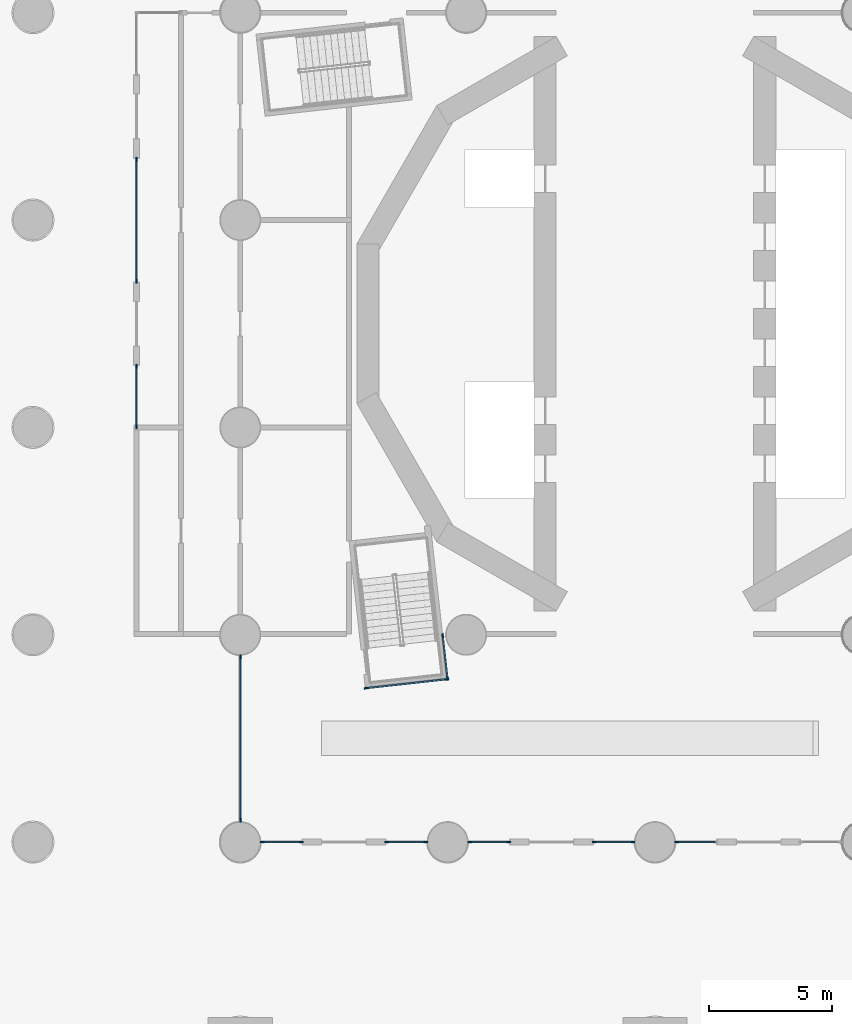
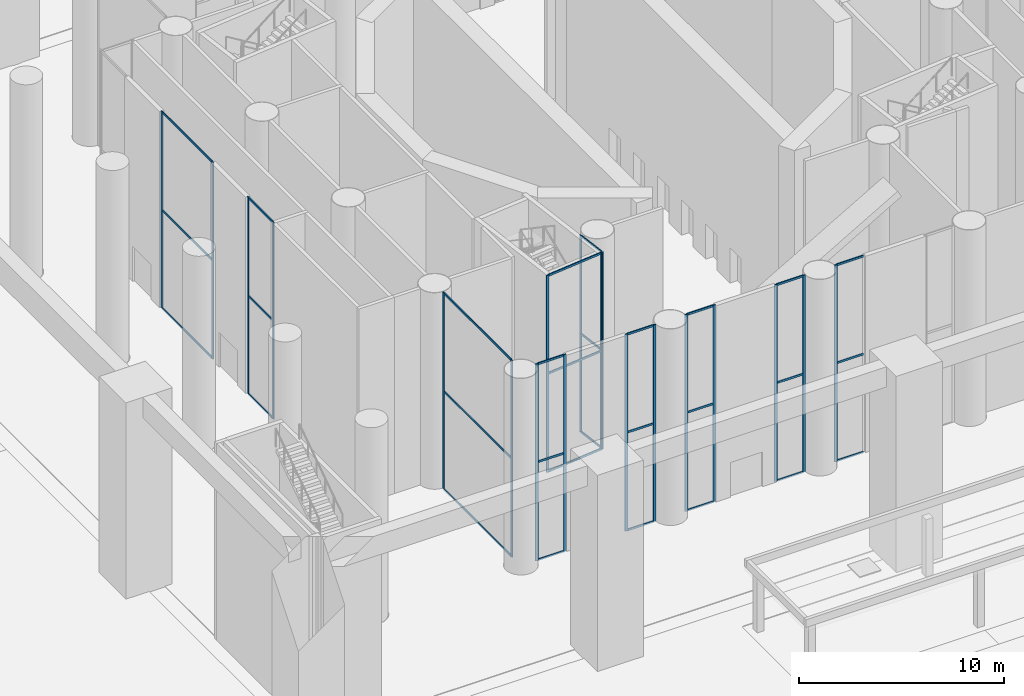
# One storey, part 3 of 52: 49 members, 10 elements without a shape of their own.
"""IFC4 building model written with IfcOpenShell, lengths in metres."""

from ifc_helpers import new_model, si_unit, direction, frame, origin, origin_2d, place, context, subcontext, project, spatial, rectangle, extrude, material, material_profile, profile_set, type_object, element, aggregate, save


model = new_model("IFC4")

# Units and contexts
model_context = context("Model", 3, precision=1e-05, world=origin(), true_north=direction((0.0, 1.0)))
body_context = subcontext(model_context, "Body", "Model", "MODEL_VIEW")
ifc_project = project(units=[si_unit("LENGTHUNIT", "METRE"), si_unit("AREAUNIT", "SQUARE_METRE"), si_unit("VOLUMEUNIT", "CUBIC_METRE"), si_unit("PLANEANGLEUNIT", "RADIAN"), si_unit("MASSUNIT", "GRAM", prefix="KILO")], contexts=[model_context])

# Site, building, storey
site_placement = place(None, origin())
site = spatial("IfcSite", under=ifc_project, at=site_placement, CompositionType="ELEMENT")
building_placement = place(site_placement, origin())
building = spatial("IfcBuilding", under=site, at=building_placement, Name="Cantera Rosa Tower", CompositionType="ELEMENT")
storey_placement = place(building_placement, origin())
storey = spatial("IfcBuildingStorey", under=building, at=storey_placement, Name="L00", CompositionType="ELEMENT", Elevation=0.0)

# Curtain wall, members
ifc_material_1 = material(Name="Glass", Category="glass")
curtain_wall_type = type_object("IfcCurtainWallType", Name="Pavilion curtain wall", PredefinedType="NOTDEFINED", material=ifc_material_1)
curtain_wall_1_placement = place(storey_placement, origin())
curtain_wall_1 = element("IfcCurtainWall", 1, at=curtain_wall_1_placement, inside=storey, type_object=curtain_wall_type, Name="Pavilion curtain wall LOUNGE 9", PredefinedType="NOTDEFINED")
ifc_material_2 = material(Name="Aluminium", Category="aluminium")
ifc_material_profile_1 = material_profile(ifc_material_2, rectangle(XDim=0.06005859375, YDim=0.159912109375, at=origin_2d()), Name="Mullion pavilion 60x160")
ifc_profile_set_1 = profile_set([ifc_material_profile_1], Name="Aluminium")
member_type_1 = type_object("IfcMemberType", Name="Mullion pavilion 60x160", PredefinedType="MULLION", material=ifc_profile_set_1)
member_1_placement = place(storey_placement, frame((-21.0, 6.669921875, 0.0), z_axis=(0.0, 0.0, 1.0), x_axis=(1.0, 0.0, 0.0)))
member_1 = element("IfcMember", 2, at=member_1_placement, type_object=member_type_1, Name="CW6 mullion 1", PredefinedType="MULLION", context=body_context, shape_type="SweptSolid", body=[
    extrude(rectangle(XDim=0.06005859375, YDim=0.159912109375, at=origin_2d()), origin(), (0.0, 0.0, 1.0), 11.699951171875),
])
member_2_placement = place(storey_placement, frame((-21.0, 1.72998046875, 0.0), z_axis=(0.0, 0.0, 1.0), x_axis=(1.0, 0.0, 0.0)))
member_2 = element("IfcMember", 3, at=member_2_placement, type_object=member_type_1, Name="CW6 mullion 2", PredefinedType="MULLION", context=body_context, shape_type="SweptSolid", body=[
    extrude(rectangle(XDim=0.06005859375, YDim=0.159912109375, at=origin_2d()), origin(), (0.0, 0.0, 1.0), 11.699951171875),
])

curtain_wall_2_placement = place(storey_placement, origin())
curtain_wall_2 = element("IfcCurtainWall", 4, at=curtain_wall_2_placement, inside=storey, type_object=curtain_wall_type, Name="Pavilion curtain wall LOUNGE 9", PredefinedType="NOTDEFINED")
member_3_placement = place(storey_placement, frame((-21.0, -1.72998046875, 0.0), z_axis=(0.0, 0.0, 1.0), x_axis=(1.0, 0.0, 0.0)))
member_3 = element("IfcMember", 5, at=member_3_placement, type_object=member_type_1, Name="CW6 mullion 1", PredefinedType="MULLION", context=body_context, shape_type="SweptSolid", body=[
    extrude(rectangle(XDim=0.06005859375, YDim=0.159912109375, at=origin_2d()), origin(), (0.0, 0.0, 1.0), 11.699951171875),
])
member_4_placement = place(storey_placement, frame((-21.0, -4.169921875, 0.0), z_axis=(0.0, 0.0, 1.0), x_axis=(1.0, 0.0, 0.0)))
member_4 = element("IfcMember", 6, at=member_4_placement, type_object=member_type_1, Name="CW6 mullion 2", PredefinedType="MULLION", context=body_context, shape_type="SweptSolid", body=[
    extrude(rectangle(XDim=0.06005859375, YDim=0.159912109375, at=origin_2d()), origin(), (0.0, 0.0, 1.0), 11.699951171875),
])

# Curtain wall, member
curtain_wall_3_placement = place(storey_placement, origin())
curtain_wall_3 = element("IfcCurtainWall", 7, at=curtain_wall_3_placement, inside=storey, type_object=curtain_wall_type, Name="Pavilion curtain wall RESID 12", PredefinedType="NOTDEFINED")
member_5_placement = place(storey_placement, frame((0.889892578125, -21.0, 0.0), z_axis=(0.0, 0.0, 1.0), x_axis=(0.0, -1.0, 0.0)))
member_5 = element("IfcMember", 8, at=member_5_placement, type_object=member_type_1, Name="CW6 mullion 2", PredefinedType="MULLION", context=body_context, shape_type="SweptSolid", body=[
    extrude(rectangle(XDim=0.06005859375, YDim=0.159912109375, at=origin_2d()), origin(), (0.0, 0.0, 1.0), 11.699951171875),
])

# Curtain wall, members
curtain_wall_4_placement = place(storey_placement, origin())
curtain_wall_4 = element("IfcCurtainWall", 9, at=curtain_wall_4_placement, inside=storey, type_object=curtain_wall_type, Name="Pavilion curtain wall RESID 12", PredefinedType="NOTDEFINED")
member_6_placement = place(storey_placement, frame((-0.889892578125, -21.0, 0.0), z_axis=(0.0, 0.0, 1.0), x_axis=(0.0, -1.0, 0.0)))
member_6 = element("IfcMember", 10, at=member_6_placement, type_object=member_type_1, Name="CW6 mullion 1", PredefinedType="MULLION", context=body_context, shape_type="SweptSolid", body=[
    extrude(rectangle(XDim=0.06005859375, YDim=0.159912109375, at=origin_2d()), origin(), (0.0, 0.0, 1.0), 11.699951171875),
])
member_7_placement = place(storey_placement, frame((-2.469970703125, -21.0, 0.0), z_axis=(0.0, 0.0, 1.0), x_axis=(0.0, -1.0, 0.0)))
member_7 = element("IfcMember", 11, at=member_7_placement, type_object=member_type_1, Name="CW6 mullion 2", PredefinedType="MULLION", context=body_context, shape_type="SweptSolid", body=[
    extrude(rectangle(XDim=0.06005859375, YDim=0.159912109375, at=origin_2d()), origin(), (0.0, 0.0, 1.0), 11.699951171875),
])

curtain_wall_5_placement = place(storey_placement, origin())
curtain_wall_5 = element("IfcCurtainWall", 12, at=curtain_wall_5_placement, inside=storey, type_object=curtain_wall_type, Name="Pavilion curtain wall RESID 12", PredefinedType="NOTDEFINED")
member_8_placement = place(storey_placement, frame((-5.929931640625, -21.0, 0.0), z_axis=(0.0, 0.0, 1.0), x_axis=(0.0, -1.0, 0.0)))
member_8 = element("IfcMember", 13, at=member_8_placement, type_object=member_type_1, Name="CW6 mullion 1", PredefinedType="MULLION", context=body_context, shape_type="SweptSolid", body=[
    extrude(rectangle(XDim=0.06005859375, YDim=0.159912109375, at=origin_2d()), origin(), (0.0, 0.0, 1.0), 11.699951171875),
])
member_9_placement = place(storey_placement, frame((-7.510009765625, -21.0, 0.0), z_axis=(0.0, 0.0, 1.0), x_axis=(0.0, -1.0, 0.0)))
member_9 = element("IfcMember", 14, at=member_9_placement, type_object=member_type_1, Name="CW6 mullion 2", PredefinedType="MULLION", context=body_context, shape_type="SweptSolid", body=[
    extrude(rectangle(XDim=0.06005859375, YDim=0.159912109375, at=origin_2d()), origin(), (0.0, 0.0, 1.0), 11.699951171875),
])

curtain_wall_6_placement = place(storey_placement, origin())
curtain_wall_6 = element("IfcCurtainWall", 15, at=curtain_wall_6_placement, inside=storey, type_object=curtain_wall_type, Name="Pavilion curtain wall RESID 12", PredefinedType="NOTDEFINED")
member_10_placement = place(storey_placement, frame((-9.2900390625, -21.0, 0.0), z_axis=(0.0, 0.0, 1.0), x_axis=(0.0, -1.0, 0.0)))
member_10 = element("IfcMember", 16, at=member_10_placement, type_object=member_type_1, Name="CW6 mullion 1", PredefinedType="MULLION", context=body_context, shape_type="SweptSolid", body=[
    extrude(rectangle(XDim=0.06005859375, YDim=0.159912109375, at=origin_2d()), origin(), (0.0, 0.0, 1.0), 11.699951171875),
])
member_11_placement = place(storey_placement, frame((-10.8701171875, -21.0, 0.0), z_axis=(0.0, 0.0, 1.0), x_axis=(0.0, -1.0, 0.0)))
member_11 = element("IfcMember", 17, at=member_11_placement, type_object=member_type_1, Name="CW6 mullion 2", PredefinedType="MULLION", context=body_context, shape_type="SweptSolid", body=[
    extrude(rectangle(XDim=0.06005859375, YDim=0.159912109375, at=origin_2d()), origin(), (0.0, 0.0, 1.0), 11.699951171875),
])

curtain_wall_7_placement = place(storey_placement, origin())
curtain_wall_7 = element("IfcCurtainWall", 18, at=curtain_wall_7_placement, inside=storey, type_object=curtain_wall_type, Name="Pavilion curtain wall RESID 12", PredefinedType="NOTDEFINED")
member_12_placement = place(storey_placement, frame((-14.330078125, -21.0, 0.0), z_axis=(0.0, 0.0, 1.0), x_axis=(0.0, -1.0, 0.0)))
member_12 = element("IfcMember", 19, at=member_12_placement, type_object=member_type_1, Name="CW6 mullion 1", PredefinedType="MULLION", context=body_context, shape_type="SweptSolid", body=[
    extrude(rectangle(XDim=0.06005859375, YDim=0.159912109375, at=origin_2d()), origin(), (0.0, 0.0, 1.0), 11.699951171875),
])
member_13_placement = place(storey_placement, frame((-15.909912109375, -21.0, 0.0), z_axis=(0.0, 0.0, 1.0), x_axis=(0.0, -1.0, 0.0)))
member_13 = element("IfcMember", 20, at=member_13_placement, type_object=member_type_1, Name="CW6 mullion 2", PredefinedType="MULLION", context=body_context, shape_type="SweptSolid", body=[
    extrude(rectangle(XDim=0.06005859375, YDim=0.159912109375, at=origin_2d()), origin(), (0.0, 0.0, 1.0), 11.699951171875),
])

curtain_wall_8_placement = place(storey_placement, origin())
curtain_wall_8 = element("IfcCurtainWall", 21, at=curtain_wall_8_placement, inside=storey, type_object=curtain_wall_type, Name="Pavilion curtain wall RESID 13", PredefinedType="NOTDEFINED")
member_14_placement = place(storey_placement, frame((-16.800048828125, -20.110107421875, 0.0), z_axis=(0.0, 0.0, 1.0), x_axis=(-1.0, 0.0, 0.0)))
member_14 = element("IfcMember", 22, at=member_14_placement, type_object=member_type_1, Name="CW6 mullion 1", PredefinedType="MULLION", context=body_context, shape_type="SweptSolid", body=[
    extrude(rectangle(XDim=0.06005859375, YDim=0.159912109375, at=origin_2d()), origin(), (0.0, 0.0, 1.0), 11.699951171875),
])
member_15_placement = place(storey_placement, frame((-16.800048828125, -13.489990234375, 0.0), z_axis=(0.0, 0.0, 1.0), x_axis=(-1.0, 0.0, 0.0)))
member_15 = element("IfcMember", 23, at=member_15_placement, type_object=member_type_1, Name="CW6 mullion 2", PredefinedType="MULLION", context=body_context, shape_type="SweptSolid", body=[
    extrude(rectangle(XDim=0.06005859375, YDim=0.159912109375, at=origin_2d()), origin(), (0.0, 0.0, 1.0), 11.699951171875),
])

curtain_wall_9_placement = place(storey_placement, origin())
curtain_wall_9 = element("IfcCurtainWall", 24, at=curtain_wall_9_placement, inside=storey, type_object=curtain_wall_type, Name="Pavilion curtain wall RESID 14", PredefinedType="NOTDEFINED")
member_16_placement = place(storey_placement, frame((-11.703857421875, -14.76318359375, 0.0), z_axis=(0.0, 0.0, 1.0), x_axis=(-0.110333232145, 0.993894651301, 0.0)))
member_16 = element("IfcMember", 25, at=member_16_placement, type_object=member_type_1, Name="CW6 mullion 1", PredefinedType="MULLION", context=body_context, shape_type="SweptSolid", body=[
    extrude(rectangle(XDim=0.06005859375, YDim=0.159912109375, at=origin_2d()), origin(), (0.0, 0.0, 1.0), 11.699951171875),
])
member_17_placement = place(storey_placement, frame((-8.43408203125, -14.400146484375, 0.0), z_axis=(0.0, 0.0, 1.0), x_axis=(-0.110333232145, 0.993894651301, 0.0)))
member_17 = element("IfcMember", 26, at=member_17_placement, type_object=member_type_1, Name="CW6 mullion 2", PredefinedType="MULLION", context=body_context, shape_type="SweptSolid", body=[
    extrude(rectangle(XDim=0.06005859375, YDim=0.159912109375, at=origin_2d()), origin(), (0.0, 0.0, 1.0), 11.699951171875),
])

curtain_wall_10_placement = place(storey_placement, origin())
curtain_wall_10 = element("IfcCurtainWall", 27, at=curtain_wall_10_placement, inside=storey, type_object=curtain_wall_type, Name="Pavilion curtain wall RESID 15", PredefinedType="NOTDEFINED")
member_18_placement = place(storey_placement, frame((-8.40771484375, -14.3671875, 0.0), z_axis=(0.0, 0.0, 1.0), x_axis=(-0.993898566289, -0.110297959765, 0.0)))
member_18 = element("IfcMember", 28, at=member_18_placement, type_object=member_type_1, Name="CW6 mullion 1", PredefinedType="MULLION", context=body_context, shape_type="SweptSolid", body=[
    extrude(rectangle(XDim=0.06005859375, YDim=0.159912109375, at=origin_2d()), origin(), (0.0, 0.0, 1.0), 11.699951171875),
])
member_19_placement = place(storey_placement, frame((-8.600341796875, -12.6298828125, 0.0), z_axis=(0.0, 0.0, 1.0), x_axis=(-0.993898566289, -0.110297959765, 0.0)))
member_19 = element("IfcMember", 29, at=member_19_placement, type_object=member_type_1, Name="CW6 mullion 2", PredefinedType="MULLION", context=body_context, shape_type="SweptSolid", body=[
    extrude(rectangle(XDim=0.06005859375, YDim=0.159912109375, at=origin_2d()), origin(), (0.0, 0.0, 1.0), 11.699951171875),
])

# Member
ifc_material_3 = material(Name="Aluminium", Category="aluminium")
ifc_material_profile_2 = material_profile(ifc_material_3, rectangle(XDim=0.06005859375, YDim=0.1201171875, at=origin_2d()), Name="Transom pavilion 60x120")
ifc_profile_set_2 = profile_set([ifc_material_profile_2], Name="Aluminium")
member_type_2 = type_object("IfcMemberType", Name="Transom pavilion 60x120", PredefinedType="USERDEFINED", material=ifc_profile_set_2)
member_20_placement = place(storey_placement, frame((-21.0, 6.639892578125, 0.030029296875), z_axis=(0.0, -1.0, 0.0), x_axis=(1.0, 0.0, 0.0)))
member_20 = element("IfcMember", 30, at=member_20_placement, type_object=member_type_2, Name="CW6 transom 1.1", ObjectType="TRANSOM", PredefinedType="USERDEFINED", context=body_context, shape_type="SweptSolid", body=[
    extrude(rectangle(XDim=0.06005859375, YDim=0.1201171875, at=origin_2d()), origin(), (0.0, 0.0, 1.0), 4.8798828125),
])

member_21_placement = place(storey_placement, frame((-21.0, 6.639892578125, 5.85009765625), z_axis=(0.0, -1.0, 0.0), x_axis=(1.0, 0.0, 0.0)))
member_21 = element("IfcMember", 31, at=member_21_placement, type_object=member_type_2, Name="CW6 transom 1.2", ObjectType="TRANSOM", PredefinedType="USERDEFINED", context=body_context, shape_type="SweptSolid", body=[
    extrude(rectangle(XDim=0.06005859375, YDim=0.1201171875, at=origin_2d()), origin(), (0.0, 0.0, 1.0), 4.8798828125),
])

member_22_placement = place(storey_placement, frame((-21.0, 6.639892578125, 11.669921875), z_axis=(0.0, -1.0, 0.0), x_axis=(1.0, 0.0, 0.0)))
member_22 = element("IfcMember", 32, at=member_22_placement, type_object=member_type_2, Name="CW6 transom 1.3", ObjectType="TRANSOM", PredefinedType="USERDEFINED", context=body_context, shape_type="SweptSolid", body=[
    extrude(rectangle(XDim=0.06005859375, YDim=0.1201171875, at=origin_2d()), origin(), (0.0, 0.0, 1.0), 4.8798828125),
])

aggregate(curtain_wall_1, [member_1, member_2, member_20, member_21, member_22])

member_23_placement = place(storey_placement, frame((-21.0, -1.760009765625, 0.030029296875), z_axis=(0.0, -1.0, 0.0), x_axis=(1.0, 0.0, 0.0)))
member_23 = element("IfcMember", 33, at=member_23_placement, type_object=member_type_2, Name="CW6 transom 1.1", ObjectType="TRANSOM", PredefinedType="USERDEFINED", context=body_context, shape_type="SweptSolid", body=[
    extrude(rectangle(XDim=0.06005859375, YDim=0.1201171875, at=origin_2d()), origin(), (0.0, 0.0, 1.0), 2.3798828125),
])

member_24_placement = place(storey_placement, frame((-21.0, -1.760009765625, 5.85009765625), z_axis=(0.0, -1.0, 0.0), x_axis=(1.0, 0.0, 0.0)))
member_24 = element("IfcMember", 34, at=member_24_placement, type_object=member_type_2, Name="CW6 transom 1.2", ObjectType="TRANSOM", PredefinedType="USERDEFINED", context=body_context, shape_type="SweptSolid", body=[
    extrude(rectangle(XDim=0.06005859375, YDim=0.1201171875, at=origin_2d()), origin(), (0.0, 0.0, 1.0), 2.3798828125),
])

member_25_placement = place(storey_placement, frame((-21.0, -1.760009765625, 11.669921875), z_axis=(0.0, -1.0, 0.0), x_axis=(1.0, 0.0, 0.0)))
member_25 = element("IfcMember", 35, at=member_25_placement, type_object=member_type_2, Name="CW6 transom 1.3", ObjectType="TRANSOM", PredefinedType="USERDEFINED", context=body_context, shape_type="SweptSolid", body=[
    extrude(rectangle(XDim=0.06005859375, YDim=0.1201171875, at=origin_2d()), origin(), (0.0, 0.0, 1.0), 2.3798828125),
])

aggregate(curtain_wall_2, [member_3, member_4, member_23, member_24, member_25])

member_26_placement = place(storey_placement, frame((2.43994140625, -21.0, 0.030029296875), z_axis=(-1.0, 0.0, 0.0), x_axis=(0.0, -1.0, 0.0)))
member_26 = element("IfcMember", 36, at=member_26_placement, type_object=member_type_2, Name="CW6 transom 1.1", ObjectType="TRANSOM", PredefinedType="USERDEFINED", context=body_context, shape_type="SweptSolid", body=[
    extrude(rectangle(XDim=0.06005859375, YDim=0.1201171875, at=origin_2d()), origin(), (0.0, 0.0, 1.0), 1.52001953125),
])

member_27_placement = place(storey_placement, frame((2.43994140625, -21.0, 5.85009765625), z_axis=(-1.0, 0.0, 0.0), x_axis=(0.0, -1.0, 0.0)))
member_27 = element("IfcMember", 37, at=member_27_placement, type_object=member_type_2, Name="CW6 transom 1.2", ObjectType="TRANSOM", PredefinedType="USERDEFINED", context=body_context, shape_type="SweptSolid", body=[
    extrude(rectangle(XDim=0.06005859375, YDim=0.1201171875, at=origin_2d()), origin(), (0.0, 0.0, 1.0), 1.52001953125),
])

member_28_placement = place(storey_placement, frame((2.43994140625, -21.0, 11.669921875), z_axis=(-1.0, 0.0, 0.0), x_axis=(0.0, -1.0, 0.0)))
member_28 = element("IfcMember", 38, at=member_28_placement, type_object=member_type_2, Name="CW6 transom 1.3", ObjectType="TRANSOM", PredefinedType="USERDEFINED", context=body_context, shape_type="SweptSolid", body=[
    extrude(rectangle(XDim=0.06005859375, YDim=0.1201171875, at=origin_2d()), origin(), (0.0, 0.0, 1.0), 1.52001953125),
])

aggregate(curtain_wall_3, [member_5, member_26, member_27, member_28])

member_29_placement = place(storey_placement, frame((-0.919921875, -21.0, 0.030029296875), z_axis=(-1.0, 0.0, 0.0), x_axis=(0.0, -1.0, 0.0)))
member_29 = element("IfcMember", 39, at=member_29_placement, type_object=member_type_2, Name="CW6 transom 1.1", ObjectType="TRANSOM", PredefinedType="USERDEFINED", context=body_context, shape_type="SweptSolid", body=[
    extrude(rectangle(XDim=0.06005859375, YDim=0.1201171875, at=origin_2d()), origin(), (0.0, 0.0, 1.0), 1.52001953125),
])

member_30_placement = place(storey_placement, frame((-0.919921875, -21.0, 5.85009765625), z_axis=(-1.0, 0.0, 0.0), x_axis=(0.0, -1.0, 0.0)))
member_30 = element("IfcMember", 40, at=member_30_placement, type_object=member_type_2, Name="CW6 transom 1.2", ObjectType="TRANSOM", PredefinedType="USERDEFINED", context=body_context, shape_type="SweptSolid", body=[
    extrude(rectangle(XDim=0.06005859375, YDim=0.1201171875, at=origin_2d()), origin(), (0.0, 0.0, 1.0), 1.52001953125),
])

member_31_placement = place(storey_placement, frame((-0.919921875, -21.0, 11.669921875), z_axis=(-1.0, 0.0, 0.0), x_axis=(0.0, -1.0, 0.0)))
member_31 = element("IfcMember", 41, at=member_31_placement, type_object=member_type_2, Name="CW6 transom 1.3", ObjectType="TRANSOM", PredefinedType="USERDEFINED", context=body_context, shape_type="SweptSolid", body=[
    extrude(rectangle(XDim=0.06005859375, YDim=0.1201171875, at=origin_2d()), origin(), (0.0, 0.0, 1.0), 1.52001953125),
])

aggregate(curtain_wall_4, [member_6, member_7, member_29, member_30, member_31])

member_32_placement = place(storey_placement, frame((-5.9599609375, -21.0, 0.030029296875), z_axis=(-1.0, 0.0, 0.0), x_axis=(0.0, -1.0, 0.0)))
member_32 = element("IfcMember", 42, at=member_32_placement, type_object=member_type_2, Name="CW6 transom 1.1", ObjectType="TRANSOM", PredefinedType="USERDEFINED", context=body_context, shape_type="SweptSolid", body=[
    extrude(rectangle(XDim=0.06005859375, YDim=0.1201171875, at=origin_2d()), origin(), (0.0, 0.0, 1.0), 1.52001953125),
])

member_33_placement = place(storey_placement, frame((-5.9599609375, -21.0, 5.85009765625), z_axis=(-1.0, 0.0, 0.0), x_axis=(0.0, -1.0, 0.0)))
member_33 = element("IfcMember", 43, at=member_33_placement, type_object=member_type_2, Name="CW6 transom 1.2", ObjectType="TRANSOM", PredefinedType="USERDEFINED", context=body_context, shape_type="SweptSolid", body=[
    extrude(rectangle(XDim=0.06005859375, YDim=0.1201171875, at=origin_2d()), origin(), (0.0, 0.0, 1.0), 1.52001953125),
])

member_34_placement = place(storey_placement, frame((-5.9599609375, -21.0, 11.669921875), z_axis=(-1.0, 0.0, 0.0), x_axis=(0.0, -1.0, 0.0)))
member_34 = element("IfcMember", 44, at=member_34_placement, type_object=member_type_2, Name="CW6 transom 1.3", ObjectType="TRANSOM", PredefinedType="USERDEFINED", context=body_context, shape_type="SweptSolid", body=[
    extrude(rectangle(XDim=0.06005859375, YDim=0.1201171875, at=origin_2d()), origin(), (0.0, 0.0, 1.0), 1.52001953125),
])

aggregate(curtain_wall_5, [member_8, member_9, member_32, member_33, member_34])

member_35_placement = place(storey_placement, frame((-9.320068359375, -21.0, 0.030029296875), z_axis=(-1.0, 0.0, 0.0), x_axis=(0.0, -1.0, 0.0)))
member_35 = element("IfcMember", 45, at=member_35_placement, type_object=member_type_2, Name="CW6 transom 1.1", ObjectType="TRANSOM", PredefinedType="USERDEFINED", context=body_context, shape_type="SweptSolid", body=[
    extrude(rectangle(XDim=0.06005859375, YDim=0.1201171875, at=origin_2d()), origin(), (0.0, 0.0, 1.0), 1.52001953125),
])

member_36_placement = place(storey_placement, frame((-9.320068359375, -21.0, 5.85009765625), z_axis=(-1.0, 0.0, 0.0), x_axis=(0.0, -1.0, 0.0)))
member_36 = element("IfcMember", 46, at=member_36_placement, type_object=member_type_2, Name="CW6 transom 1.2", ObjectType="TRANSOM", PredefinedType="USERDEFINED", context=body_context, shape_type="SweptSolid", body=[
    extrude(rectangle(XDim=0.06005859375, YDim=0.1201171875, at=origin_2d()), origin(), (0.0, 0.0, 1.0), 1.52001953125),
])

member_37_placement = place(storey_placement, frame((-9.320068359375, -21.0, 11.669921875), z_axis=(-1.0, 0.0, 0.0), x_axis=(0.0, -1.0, 0.0)))
member_37 = element("IfcMember", 47, at=member_37_placement, type_object=member_type_2, Name="CW6 transom 1.3", ObjectType="TRANSOM", PredefinedType="USERDEFINED", context=body_context, shape_type="SweptSolid", body=[
    extrude(rectangle(XDim=0.06005859375, YDim=0.1201171875, at=origin_2d()), origin(), (0.0, 0.0, 1.0), 1.52001953125),
])

aggregate(curtain_wall_6, [member_10, member_11, member_35, member_36, member_37])

member_38_placement = place(storey_placement, frame((-14.360107421875, -21.0, 0.030029296875), z_axis=(-1.0, 0.0, 0.0), x_axis=(0.0, -1.0, 0.0)))
member_38 = element("IfcMember", 48, at=member_38_placement, type_object=member_type_2, Name="CW6 transom 1.1", ObjectType="TRANSOM", PredefinedType="USERDEFINED", context=body_context, shape_type="SweptSolid", body=[
    extrude(rectangle(XDim=0.06005859375, YDim=0.1201171875, at=origin_2d()), origin(), (0.0, 0.0, 1.0), 1.519775390625),
])

member_39_placement = place(storey_placement, frame((-14.360107421875, -21.0, 5.85009765625), z_axis=(-1.0, 0.0, 0.0), x_axis=(0.0, -1.0, 0.0)))
member_39 = element("IfcMember", 49, at=member_39_placement, type_object=member_type_2, Name="CW6 transom 1.2", ObjectType="TRANSOM", PredefinedType="USERDEFINED", context=body_context, shape_type="SweptSolid", body=[
    extrude(rectangle(XDim=0.06005859375, YDim=0.1201171875, at=origin_2d()), origin(), (0.0, 0.0, 1.0), 1.519775390625),
])

member_40_placement = place(storey_placement, frame((-14.360107421875, -21.0, 11.669921875), z_axis=(-1.0, 0.0, 0.0), x_axis=(0.0, -1.0, 0.0)))
member_40 = element("IfcMember", 50, at=member_40_placement, type_object=member_type_2, Name="CW6 transom 1.3", ObjectType="TRANSOM", PredefinedType="USERDEFINED", context=body_context, shape_type="SweptSolid", body=[
    extrude(rectangle(XDim=0.06005859375, YDim=0.1201171875, at=origin_2d()), origin(), (0.0, 0.0, 1.0), 1.519775390625),
])

aggregate(curtain_wall_7, [member_12, member_13, member_38, member_39, member_40])

member_41_placement = place(storey_placement, frame((-16.800048828125, -20.080078125, 0.030029296875), z_axis=(0.0, 1.0, 0.0), x_axis=(-1.0, 0.0, 0.0)))
member_41 = element("IfcMember", 51, at=member_41_placement, type_object=member_type_2, Name="CW6 transom 1.1", ObjectType="TRANSOM", PredefinedType="USERDEFINED", context=body_context, shape_type="SweptSolid", body=[
    extrude(rectangle(XDim=0.06005859375, YDim=0.1201171875, at=origin_2d()), origin(), (0.0, 0.0, 1.0), 6.56005859375),
])

member_42_placement = place(storey_placement, frame((-16.800048828125, -20.080078125, 5.85009765625), z_axis=(0.0, 1.0, 0.0), x_axis=(-1.0, 0.0, 0.0)))
member_42 = element("IfcMember", 52, at=member_42_placement, type_object=member_type_2, Name="CW6 transom 1.2", ObjectType="TRANSOM", PredefinedType="USERDEFINED", context=body_context, shape_type="SweptSolid", body=[
    extrude(rectangle(XDim=0.06005859375, YDim=0.1201171875, at=origin_2d()), origin(), (0.0, 0.0, 1.0), 6.56005859375),
])

member_43_placement = place(storey_placement, frame((-16.800048828125, -20.080078125, 11.669921875), z_axis=(0.0, 1.0, 0.0), x_axis=(-1.0, 0.0, 0.0)))
member_43 = element("IfcMember", 53, at=member_43_placement, type_object=member_type_2, Name="CW6 transom 1.3", ObjectType="TRANSOM", PredefinedType="USERDEFINED", context=body_context, shape_type="SweptSolid", body=[
    extrude(rectangle(XDim=0.06005859375, YDim=0.1201171875, at=origin_2d()), origin(), (0.0, 0.0, 1.0), 6.56005859375),
])

aggregate(curtain_wall_8, [member_14, member_15, member_41, member_42, member_43])

member_44_placement = place(storey_placement, frame((-11.674072265625, -14.759765625, 0.030029296875), z_axis=(0.993900315838, 0.110282193384, 0.0), x_axis=(-0.110282193384, 0.993900315838, 0.0)))
member_44 = element("IfcMember", 54, at=member_44_placement, type_object=member_type_2, Name="CW6 transom 1.1", ObjectType="TRANSOM", PredefinedType="USERDEFINED", context=body_context, shape_type="SweptSolid", body=[
    extrude(rectangle(XDim=0.06005859375, YDim=0.1201171875, at=origin_2d()), origin(), (0.0, 0.0, 1.0), 3.22998046875),
])

member_45_placement = place(storey_placement, frame((-11.674072265625, -14.759765625, 5.85009765625), z_axis=(0.993900315838, 0.110282193384, 0.0), x_axis=(-0.110282193384, 0.993900315838, 0.0)))
member_45 = element("IfcMember", 55, at=member_45_placement, type_object=member_type_2, Name="CW6 transom 1.2", ObjectType="TRANSOM", PredefinedType="USERDEFINED", context=body_context, shape_type="SweptSolid", body=[
    extrude(rectangle(XDim=0.06005859375, YDim=0.1201171875, at=origin_2d()), origin(), (0.0, 0.0, 1.0), 3.22998046875),
])

member_46_placement = place(storey_placement, frame((-11.674072265625, -14.759765625, 11.669921875), z_axis=(0.993900315838, 0.110282193384, 0.0), x_axis=(-0.110282193384, 0.993900315838, 0.0)))
member_46 = element("IfcMember", 56, at=member_46_placement, type_object=member_type_2, Name="CW6 transom 1.3", ObjectType="TRANSOM", PredefinedType="USERDEFINED", context=body_context, shape_type="SweptSolid", body=[
    extrude(rectangle(XDim=0.06005859375, YDim=0.1201171875, at=origin_2d()), origin(), (0.0, 0.0, 1.0), 3.22998046875),
])

aggregate(curtain_wall_9, [member_16, member_17, member_44, member_45, member_46])

member_47_placement = place(storey_placement, frame((-8.410888671875, -14.337158203125, 0.030029296875), z_axis=(-0.110368020931, 0.993890788747, 0.0), x_axis=(-0.993890788747, -0.110368020931, 0.0)))
member_47 = element("IfcMember", 57, at=member_47_placement, type_object=member_type_2, Name="CW6 transom 1.1", ObjectType="TRANSOM", PredefinedType="USERDEFINED", context=body_context, shape_type="SweptSolid", body=[
    extrude(rectangle(XDim=0.06005859375, YDim=0.1201171875, at=origin_2d()), origin(), (0.0, 0.0, 1.0), 1.687744140625),
])

member_48_placement = place(storey_placement, frame((-8.410888671875, -14.337158203125, 5.85009765625), z_axis=(-0.110368020931, 0.993890788747, 0.0), x_axis=(-0.993890788747, -0.110368020931, 0.0)))
member_48 = element("IfcMember", 58, at=member_48_placement, type_object=member_type_2, Name="CW6 transom 1.2", ObjectType="TRANSOM", PredefinedType="USERDEFINED", context=body_context, shape_type="SweptSolid", body=[
    extrude(rectangle(XDim=0.06005859375, YDim=0.1201171875, at=origin_2d()), origin(), (0.0, 0.0, 1.0), 1.687744140625),
])

member_49_placement = place(storey_placement, frame((-8.410888671875, -14.337158203125, 11.669921875), z_axis=(-0.110368020931, 0.993890788747, 0.0), x_axis=(-0.993890788747, -0.110368020931, 0.0)))
member_49 = element("IfcMember", 59, at=member_49_placement, type_object=member_type_2, Name="CW6 transom 1.3", ObjectType="TRANSOM", PredefinedType="USERDEFINED", context=body_context, shape_type="SweptSolid", body=[
    extrude(rectangle(XDim=0.06005859375, YDim=0.1201171875, at=origin_2d()), origin(), (0.0, 0.0, 1.0), 1.687744140625),
])

aggregate(curtain_wall_10, [member_18, member_19, member_47, member_48, member_49])

save(model, "model.ifc")
